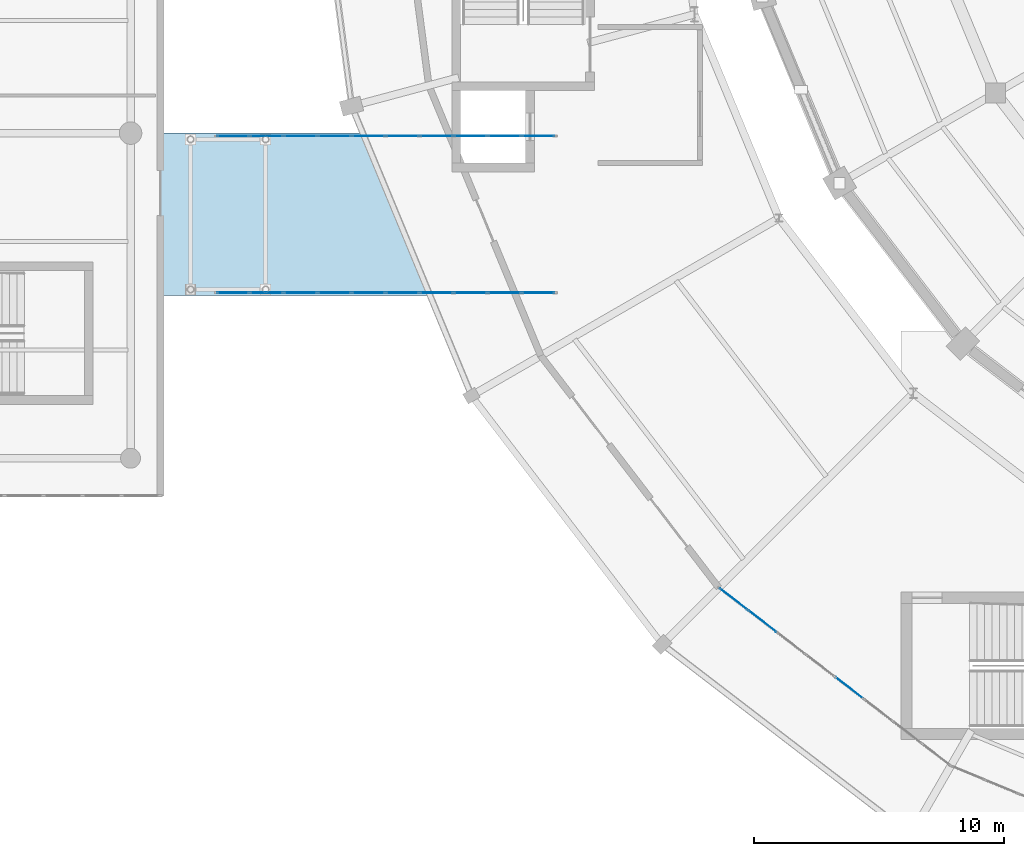
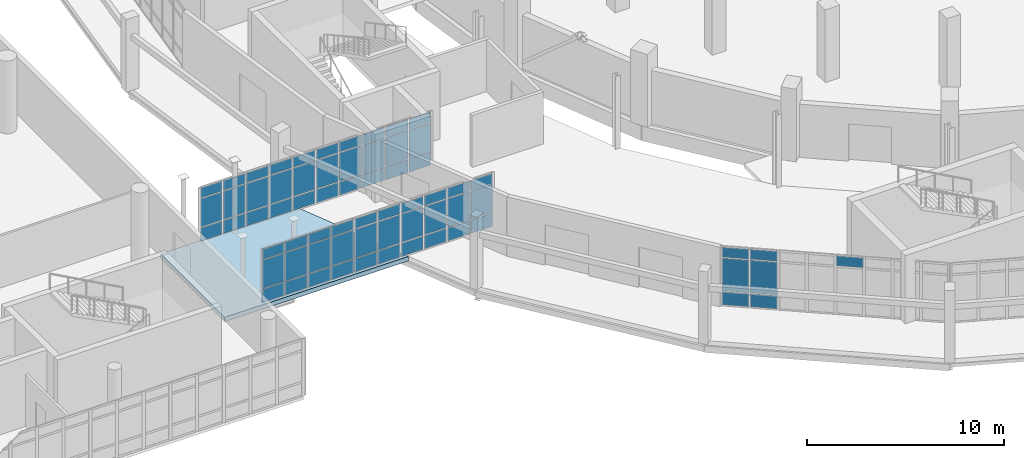
# One storey, part 79 of 122: 67 plates, 1 slab, 3 elements without a shape of their own.
"""IFC4 building model written with IfcOpenShell, lengths in metres."""

from ifc_helpers import new_model, si_unit, direction, frame, origin, origin_2d, place, context, subcontext, project, spatial, polyline, rectangle, outline, extrude, material, layer, layer_set, type_object, element, aggregate, save


model = new_model("IFC4")

# Units and contexts
model_context = context("Model", 3, precision=1e-05, world=origin(), true_north=direction((0.0, 1.0)))
body_context = subcontext(model_context, "Body", "Model", "MODEL_VIEW")
ifc_project = project(units=[si_unit("LENGTHUNIT", "METRE"), si_unit("AREAUNIT", "SQUARE_METRE"), si_unit("VOLUMEUNIT", "CUBIC_METRE"), si_unit("PLANEANGLEUNIT", "RADIAN"), si_unit("MASSUNIT", "GRAM", prefix="KILO")], contexts=[model_context])

# Site, building, storey
site_placement = place(None, origin())
site = spatial("IfcSite", under=ifc_project, at=site_placement, CompositionType="ELEMENT")
building_placement = place(site_placement, origin())
building = spatial("IfcBuilding", under=site, at=building_placement, Name="Sohan Crest Arena", CompositionType="ELEMENT")
storey_placement = place(building_placement, origin())
storey = spatial("IfcBuildingStorey", under=building, at=storey_placement, Name="L00", CompositionType="ELEMENT", Elevation=0.0)

# Curtain wall, plates
ifc_material_1 = material(Name="Thermally broken anodised aluminium", Category="aluminium")
ifc_layer_1 = layer(ifc_material_1, 0.179931640625, Name="Thermally broken anodised aluminium")
ifc_layer_set_1 = layer_set([ifc_layer_1], Name="Thermally broken anodised aluminium")
curtain_wall_type_1 = type_object("IfcCurtainWallType", Name="ARC-CW01", PredefinedType="NOTDEFINED", material=ifc_layer_set_1)
curtain_wall_1_placement = place(storey_placement, origin())
curtain_wall_1 = element("IfcCurtainWall", 1, at=curtain_wall_1_placement, inside=storey, type_object=curtain_wall_type_1, Name="Unitised curtain wall CW-005", PredefinedType="NOTDEFINED")
ifc_material_2 = material(Name="Low-E double-glazed insulated glass", Category="glass")
ifc_layer_2 = layer(ifc_material_2, 0.028076171875, Name="Low-E double-glazed insulated glass")
ifc_layer_set_2 = layer_set([ifc_layer_2], Name="Low-E double-glazed insulated glass")
plate_type = type_object("IfcPlateType", Name="ARC-CNP01", PredefinedType="CURTAIN_PANEL", material=ifc_layer_set_2)
plate_1_placement = place(storey_placement, frame((66.913818359375, 45.867919921875, 0.06005859375), z_axis=(0.0, 0.0, 1.0), x_axis=(0.79332277167, -0.608801264741, 0.0)))
plate_1 = element("IfcPlate", 2, at=plate_1_placement, type_object=plate_type, Name="CW-005 panel 1.1", PredefinedType="CURTAIN_PANEL", context=body_context, shape_type="SweptSolid", body=[
    extrude(rectangle(XDim=1.371826171875, YDim=0.028076171875, at=origin_2d()), origin(), (0.0, 0.0, 1.0), 0.81005859375),
])
plate_2_placement = place(storey_placement, frame((66.913818359375, 45.867919921875, 0.929931640625), z_axis=(0.0, 0.0, 1.0), x_axis=(0.79332277167, -0.608801264741, 0.0)))
plate_2 = element("IfcPlate", 3, at=plate_2_placement, type_object=plate_type, Name="CW-005 panel 1.2", PredefinedType="CURTAIN_PANEL", context=body_context, shape_type="SweptSolid", body=[
    extrude(rectangle(XDim=1.371826171875, YDim=0.028076171875, at=origin_2d()), origin(), (0.0, 0.0, 1.0), 2.02001953125),
])
plate_3_placement = place(storey_placement, frame((66.913818359375, 45.867919921875, 3.009765625), z_axis=(0.0, 0.0, 1.0), x_axis=(0.79332277167, -0.608801264741, 0.0)))
plate_3 = element("IfcPlate", 4, at=plate_3_placement, type_object=plate_type, Name="CW-005 panel 1.3", PredefinedType="CURTAIN_PANEL", context=body_context, shape_type="SweptSolid", body=[
    extrude(rectangle(XDim=1.371826171875, YDim=0.028076171875, at=origin_2d()), origin(), (0.0, 0.0, 1.0), 0.610107421875),
])
plate_4_placement = place(storey_placement, frame((68.0615234375, 44.987060546875, 0.06005859375), z_axis=(0.0, 0.0, 1.0), x_axis=(0.79332277167, -0.608801264741, 0.0)))
plate_4 = element("IfcPlate", 5, at=plate_4_placement, type_object=plate_type, Name="CW-005 panel 2.1", PredefinedType="CURTAIN_PANEL", context=body_context, shape_type="SweptSolid", body=[
    extrude(rectangle(XDim=1.40185546875, YDim=0.028076171875, at=origin_2d()), origin(), (0.0, 0.0, 1.0), 0.81005859375),
])
plate_5_placement = place(storey_placement, frame((68.0615234375, 44.987060546875, 0.929931640625), z_axis=(0.0, 0.0, 1.0), x_axis=(0.79332277167, -0.608801264741, 0.0)))
plate_5 = element("IfcPlate", 6, at=plate_5_placement, type_object=plate_type, Name="CW-005 panel 2.2", PredefinedType="CURTAIN_PANEL", context=body_context, shape_type="SweptSolid", body=[
    extrude(rectangle(XDim=1.40185546875, YDim=0.028076171875, at=origin_2d()), origin(), (0.0, 0.0, 1.0), 2.02001953125),
])
plate_6_placement = place(storey_placement, frame((68.0615234375, 44.987060546875, 3.009765625), z_axis=(0.0, 0.0, 1.0), x_axis=(0.79332277167, -0.608801264741, 0.0)))
plate_6 = element("IfcPlate", 7, at=plate_6_placement, type_object=plate_type, Name="CW-005 panel 2.3", PredefinedType="CURTAIN_PANEL", context=body_context, shape_type="SweptSolid", body=[
    extrude(rectangle(XDim=1.40185546875, YDim=0.028076171875, at=origin_2d()), origin(), (0.0, 0.0, 1.0), 0.610107421875),
])
plate_7_placement = place(storey_placement, frame((71.540771484375, 42.31689453125, 3.009765625), z_axis=(0.0, 0.0, 1.0), x_axis=(0.79332277167, -0.608801264741, 0.0)))
plate_7 = element("IfcPlate", 8, at=plate_7_placement, type_object=plate_type, Name="CW-005 panel 5.3", PredefinedType="CURTAIN_PANEL", context=body_context, shape_type="SweptSolid", body=[
    extrude(rectangle(XDim=1.40185546875, YDim=0.028076171875, at=origin_2d()), origin(), (0.0, 0.0, 1.0), 0.610107421875),
])
aggregate(curtain_wall_1, [plate_1, plate_2, plate_3, plate_4, plate_5, plate_6, plate_7])

ifc_layer_3 = layer(ifc_material_1, 0.18994140625, Name="Thermally broken anodised aluminium")
ifc_layer_set_3 = layer_set([ifc_layer_3], Name="Thermally broken anodised aluminium")
curtain_wall_type_2 = type_object("IfcCurtainWallType", Name="ARC-CW05", PredefinedType="NOTDEFINED", material=ifc_layer_set_3)
curtain_wall_2_placement = place(storey_placement, origin())
curtain_wall_2 = element("IfcCurtainWall", 9, at=curtain_wall_2_placement, inside=storey, type_object=curtain_wall_type_2, Name="Unitised curtain wall CW-223", PredefinedType="NOTDEFINED")
plate_8_placement = place(storey_placement, frame((46.896240234375, 58.1201171875, 0.06005859375), z_axis=(0.0, 0.0, 1.0), x_axis=(1.0, 0.0, 0.0)))
plate_8 = element("IfcPlate", 10, at=plate_8_placement, type_object=plate_type, Name="CW-223 panel 1.1", PredefinedType="CURTAIN_PANEL", context=body_context, shape_type="SweptSolid", body=[
    extrude(rectangle(XDim=1.262451171875, YDim=0.028076171875, at=origin_2d()), origin(), (0.0, 0.0, 1.0), 0.81005859375),
])
plate_9_placement = place(storey_placement, frame((46.896240234375, 58.1201171875, 0.93017578125), z_axis=(0.0, 0.0, 1.0), x_axis=(1.0, 0.0, 0.0)))
plate_9 = element("IfcPlate", 11, at=plate_9_placement, type_object=plate_type, Name="CW-223 panel 1.2", PredefinedType="CURTAIN_PANEL", context=body_context, shape_type="SweptSolid", body=[
    extrude(rectangle(XDim=1.262451171875, YDim=0.028076171875, at=origin_2d()), origin(), (0.0, 0.0, 1.0), 1.739990234375),
])
plate_10_placement = place(storey_placement, frame((46.896240234375, 58.1201171875, 2.72998046875), z_axis=(0.0, 0.0, 1.0), x_axis=(1.0, 0.0, 0.0)))
plate_10 = element("IfcPlate", 12, at=plate_10_placement, type_object=plate_type, Name="CW-223 panel 1.3", PredefinedType="CURTAIN_PANEL", context=body_context, shape_type="SweptSolid", body=[
    extrude(rectangle(XDim=1.262451171875, YDim=0.028076171875, at=origin_2d()), origin(), (0.0, 0.0, 1.0), 0.610107421875),
])
plate_11_placement = place(storey_placement, frame((48.239990234375, 58.1201171875, 0.06005859375), z_axis=(0.0, 0.0, 1.0), x_axis=(1.0, 0.0, 0.0)))
plate_11 = element("IfcPlate", 13, at=plate_11_placement, type_object=plate_type, Name="CW-223 panel 2.1", PredefinedType="CURTAIN_PANEL", context=body_context, shape_type="SweptSolid", body=[
    extrude(rectangle(XDim=1.294921875, YDim=0.028076171875, at=origin_2d()), origin(), (0.0, 0.0, 1.0), 0.81005859375),
])
plate_12_placement = place(storey_placement, frame((48.239990234375, 58.1201171875, 0.93017578125), z_axis=(0.0, 0.0, 1.0), x_axis=(1.0, 0.0, 0.0)))
plate_12 = element("IfcPlate", 14, at=plate_12_placement, type_object=plate_type, Name="CW-223 panel 2.2", PredefinedType="CURTAIN_PANEL", context=body_context, shape_type="SweptSolid", body=[
    extrude(rectangle(XDim=1.294921875, YDim=0.028076171875, at=origin_2d()), origin(), (0.0, 0.0, 1.0), 1.739990234375),
])
plate_13_placement = place(storey_placement, frame((48.239990234375, 58.1201171875, 2.72998046875), z_axis=(0.0, 0.0, 1.0), x_axis=(1.0, 0.0, 0.0)))
plate_13 = element("IfcPlate", 15, at=plate_13_placement, type_object=plate_type, Name="CW-223 panel 2.3", PredefinedType="CURTAIN_PANEL", context=body_context, shape_type="SweptSolid", body=[
    extrude(rectangle(XDim=1.294921875, YDim=0.028076171875, at=origin_2d()), origin(), (0.0, 0.0, 1.0), 0.610107421875),
])
plate_14_placement = place(storey_placement, frame((49.60009765625, 58.1201171875, 0.06005859375), z_axis=(0.0, 0.0, 1.0), x_axis=(1.0, 0.0, 0.0)))
plate_14 = element("IfcPlate", 16, at=plate_14_placement, type_object=plate_type, Name="CW-223 panel 3.1", PredefinedType="CURTAIN_PANEL", context=body_context, shape_type="SweptSolid", body=[
    extrude(rectangle(XDim=1.294921875, YDim=0.028076171875, at=origin_2d()), origin(), (0.0, 0.0, 1.0), 0.81005859375),
])
plate_15_placement = place(storey_placement, frame((49.60009765625, 58.1201171875, 0.93017578125), z_axis=(0.0, 0.0, 1.0), x_axis=(1.0, 0.0, 0.0)))
plate_15 = element("IfcPlate", 17, at=plate_15_placement, type_object=plate_type, Name="CW-223 panel 3.2", PredefinedType="CURTAIN_PANEL", context=body_context, shape_type="SweptSolid", body=[
    extrude(rectangle(XDim=1.294921875, YDim=0.028076171875, at=origin_2d()), origin(), (0.0, 0.0, 1.0), 1.739990234375),
])
plate_16_placement = place(storey_placement, frame((49.60009765625, 58.1201171875, 2.72998046875), z_axis=(0.0, 0.0, 1.0), x_axis=(1.0, 0.0, 0.0)))
plate_16 = element("IfcPlate", 18, at=plate_16_placement, type_object=plate_type, Name="CW-223 panel 3.3", PredefinedType="CURTAIN_PANEL", context=body_context, shape_type="SweptSolid", body=[
    extrude(rectangle(XDim=1.294921875, YDim=0.028076171875, at=origin_2d()), origin(), (0.0, 0.0, 1.0), 0.610107421875),
])
plate_17_placement = place(storey_placement, frame((50.9599609375, 58.1201171875, 0.06005859375), z_axis=(0.0, 0.0, 1.0), x_axis=(1.0, 0.0, 0.0)))
plate_17 = element("IfcPlate", 19, at=plate_17_placement, type_object=plate_type, Name="CW-223 panel 4.1", PredefinedType="CURTAIN_PANEL", context=body_context, shape_type="SweptSolid", body=[
    extrude(rectangle(XDim=1.294921875, YDim=0.028076171875, at=origin_2d()), origin(), (0.0, 0.0, 1.0), 0.81005859375),
])
plate_18_placement = place(storey_placement, frame((50.9599609375, 58.1201171875, 0.93017578125), z_axis=(0.0, 0.0, 1.0), x_axis=(1.0, 0.0, 0.0)))
plate_18 = element("IfcPlate", 20, at=plate_18_placement, type_object=plate_type, Name="CW-223 panel 4.2", PredefinedType="CURTAIN_PANEL", context=body_context, shape_type="SweptSolid", body=[
    extrude(rectangle(XDim=1.294921875, YDim=0.028076171875, at=origin_2d()), origin(), (0.0, 0.0, 1.0), 1.739990234375),
])
plate_19_placement = place(storey_placement, frame((50.9599609375, 58.1201171875, 2.72998046875), z_axis=(0.0, 0.0, 1.0), x_axis=(1.0, 0.0, 0.0)))
plate_19 = element("IfcPlate", 21, at=plate_19_placement, type_object=plate_type, Name="CW-223 panel 4.3", PredefinedType="CURTAIN_PANEL", context=body_context, shape_type="SweptSolid", body=[
    extrude(rectangle(XDim=1.294921875, YDim=0.028076171875, at=origin_2d()), origin(), (0.0, 0.0, 1.0), 0.610107421875),
])
plate_20_placement = place(storey_placement, frame((52.320068359375, 58.1201171875, 0.06005859375), z_axis=(0.0, 0.0, 1.0), x_axis=(1.0, 0.0, 0.0)))
plate_20 = element("IfcPlate", 22, at=plate_20_placement, type_object=plate_type, Name="CW-223 panel 5.1", PredefinedType="CURTAIN_PANEL", context=body_context, shape_type="SweptSolid", body=[
    extrude(rectangle(XDim=1.294921875, YDim=0.028076171875, at=origin_2d()), origin(), (0.0, 0.0, 1.0), 0.81005859375),
])
plate_21_placement = place(storey_placement, frame((52.320068359375, 58.1201171875, 0.93017578125), z_axis=(0.0, 0.0, 1.0), x_axis=(1.0, 0.0, 0.0)))
plate_21 = element("IfcPlate", 23, at=plate_21_placement, type_object=plate_type, Name="CW-223 panel 5.2", PredefinedType="CURTAIN_PANEL", context=body_context, shape_type="SweptSolid", body=[
    extrude(rectangle(XDim=1.294921875, YDim=0.028076171875, at=origin_2d()), origin(), (0.0, 0.0, 1.0), 1.739990234375),
])
plate_22_placement = place(storey_placement, frame((52.320068359375, 58.1201171875, 2.72998046875), z_axis=(0.0, 0.0, 1.0), x_axis=(1.0, 0.0, 0.0)))
plate_22 = element("IfcPlate", 24, at=plate_22_placement, type_object=plate_type, Name="CW-223 panel 5.3", PredefinedType="CURTAIN_PANEL", context=body_context, shape_type="SweptSolid", body=[
    extrude(rectangle(XDim=1.294921875, YDim=0.028076171875, at=origin_2d()), origin(), (0.0, 0.0, 1.0), 0.610107421875),
])
plate_23_placement = place(storey_placement, frame((53.679931640625, 58.1201171875, 0.06005859375), z_axis=(0.0, 0.0, 1.0), x_axis=(1.0, 0.0, 0.0)))
plate_23 = element("IfcPlate", 25, at=plate_23_placement, type_object=plate_type, Name="CW-223 panel 6.1", PredefinedType="CURTAIN_PANEL", context=body_context, shape_type="SweptSolid", body=[
    extrude(rectangle(XDim=1.294921875, YDim=0.028076171875, at=origin_2d()), origin(), (0.0, 0.0, 1.0), 0.81005859375),
])
plate_24_placement = place(storey_placement, frame((53.679931640625, 58.1201171875, 0.93017578125), z_axis=(0.0, 0.0, 1.0), x_axis=(1.0, 0.0, 0.0)))
plate_24 = element("IfcPlate", 26, at=plate_24_placement, type_object=plate_type, Name="CW-223 panel 6.2", PredefinedType="CURTAIN_PANEL", context=body_context, shape_type="SweptSolid", body=[
    extrude(rectangle(XDim=1.294921875, YDim=0.028076171875, at=origin_2d()), origin(), (0.0, 0.0, 1.0), 1.739990234375),
])
plate_25_placement = place(storey_placement, frame((53.679931640625, 58.1201171875, 2.72998046875), z_axis=(0.0, 0.0, 1.0), x_axis=(1.0, 0.0, 0.0)))
plate_25 = element("IfcPlate", 27, at=plate_25_placement, type_object=plate_type, Name="CW-223 panel 6.3", PredefinedType="CURTAIN_PANEL", context=body_context, shape_type="SweptSolid", body=[
    extrude(rectangle(XDim=1.294921875, YDim=0.028076171875, at=origin_2d()), origin(), (0.0, 0.0, 1.0), 0.610107421875),
])
plate_26_placement = place(storey_placement, frame((55.0400390625, 58.1201171875, 0.06005859375), z_axis=(0.0, 0.0, 1.0), x_axis=(1.0, 0.0, 0.0)))
plate_26 = element("IfcPlate", 28, at=plate_26_placement, type_object=plate_type, Name="CW-223 panel 7.1", PredefinedType="CURTAIN_PANEL", context=body_context, shape_type="SweptSolid", body=[
    extrude(rectangle(XDim=1.294921875, YDim=0.028076171875, at=origin_2d()), origin(), (0.0, 0.0, 1.0), 0.81005859375),
])
plate_27_placement = place(storey_placement, frame((55.0400390625, 58.1201171875, 0.93017578125), z_axis=(0.0, 0.0, 1.0), x_axis=(1.0, 0.0, 0.0)))
plate_27 = element("IfcPlate", 29, at=plate_27_placement, type_object=plate_type, Name="CW-223 panel 7.2", PredefinedType="CURTAIN_PANEL", context=body_context, shape_type="SweptSolid", body=[
    extrude(rectangle(XDim=1.294921875, YDim=0.028076171875, at=origin_2d()), origin(), (0.0, 0.0, 1.0), 1.739990234375),
])
plate_28_placement = place(storey_placement, frame((55.0400390625, 58.1201171875, 2.72998046875), z_axis=(0.0, 0.0, 1.0), x_axis=(1.0, 0.0, 0.0)))
plate_28 = element("IfcPlate", 30, at=plate_28_placement, type_object=plate_type, Name="CW-223 panel 7.3", PredefinedType="CURTAIN_PANEL", context=body_context, shape_type="SweptSolid", body=[
    extrude(rectangle(XDim=1.294921875, YDim=0.028076171875, at=origin_2d()), origin(), (0.0, 0.0, 1.0), 0.610107421875),
])
plate_29_placement = place(storey_placement, frame((56.39990234375, 58.1201171875, 0.06005859375), z_axis=(0.0, 0.0, 1.0), x_axis=(1.0, 0.0, 0.0)))
plate_29 = element("IfcPlate", 31, at=plate_29_placement, type_object=plate_type, Name="CW-223 panel 8.1", PredefinedType="CURTAIN_PANEL", context=body_context, shape_type="SweptSolid", body=[
    extrude(rectangle(XDim=1.294921875, YDim=0.028076171875, at=origin_2d()), origin(), (0.0, 0.0, 1.0), 0.81005859375),
])
plate_30_placement = place(storey_placement, frame((56.39990234375, 58.1201171875, 0.93017578125), z_axis=(0.0, 0.0, 1.0), x_axis=(1.0, 0.0, 0.0)))
plate_30 = element("IfcPlate", 32, at=plate_30_placement, type_object=plate_type, Name="CW-223 panel 8.2", PredefinedType="CURTAIN_PANEL", context=body_context, shape_type="SweptSolid", body=[
    extrude(rectangle(XDim=1.294921875, YDim=0.028076171875, at=origin_2d()), origin(), (0.0, 0.0, 1.0), 1.739990234375),
])
plate_31_placement = place(storey_placement, frame((56.39990234375, 58.1201171875, 2.72998046875), z_axis=(0.0, 0.0, 1.0), x_axis=(1.0, 0.0, 0.0)))
plate_31 = element("IfcPlate", 33, at=plate_31_placement, type_object=plate_type, Name="CW-223 panel 8.3", PredefinedType="CURTAIN_PANEL", context=body_context, shape_type="SweptSolid", body=[
    extrude(rectangle(XDim=1.294921875, YDim=0.028076171875, at=origin_2d()), origin(), (0.0, 0.0, 1.0), 0.610107421875),
])
plate_32_placement = place(storey_placement, frame((57.760009765625, 58.1201171875, 0.06005859375), z_axis=(0.0, 0.0, 1.0), x_axis=(1.0, 0.0, 0.0)))
plate_32 = element("IfcPlate", 34, at=plate_32_placement, type_object=plate_type, Name="CW-223 panel 9.1", PredefinedType="CURTAIN_PANEL", context=body_context, shape_type="SweptSolid", body=[
    extrude(rectangle(XDim=1.294921875, YDim=0.028076171875, at=origin_2d()), origin(), (0.0, 0.0, 1.0), 0.81005859375),
])
plate_33_placement = place(storey_placement, frame((57.760009765625, 58.1201171875, 0.93017578125), z_axis=(0.0, 0.0, 1.0), x_axis=(1.0, 0.0, 0.0)))
plate_33 = element("IfcPlate", 35, at=plate_33_placement, type_object=plate_type, Name="CW-223 panel 9.2", PredefinedType="CURTAIN_PANEL", context=body_context, shape_type="SweptSolid", body=[
    extrude(rectangle(XDim=1.294921875, YDim=0.028076171875, at=origin_2d()), origin(), (0.0, 0.0, 1.0), 1.739990234375),
])
plate_34_placement = place(storey_placement, frame((57.760009765625, 58.1201171875, 2.72998046875), z_axis=(0.0, 0.0, 1.0), x_axis=(1.0, 0.0, 0.0)))
plate_34 = element("IfcPlate", 36, at=plate_34_placement, type_object=plate_type, Name="CW-223 panel 9.3", PredefinedType="CURTAIN_PANEL", context=body_context, shape_type="SweptSolid", body=[
    extrude(rectangle(XDim=1.294921875, YDim=0.028076171875, at=origin_2d()), origin(), (0.0, 0.0, 1.0), 0.610107421875),
])
plate_35_placement = place(storey_placement, frame((59.103759765625, 58.1201171875, 0.06005859375), z_axis=(0.0, 0.0, 1.0), x_axis=(1.0, 0.0, 0.0)))
plate_35 = element("IfcPlate", 37, at=plate_35_placement, type_object=plate_type, Name="CW-223 panel 10.1", PredefinedType="CURTAIN_PANEL", context=body_context, shape_type="SweptSolid", body=[
    extrude(rectangle(XDim=1.262451171875, YDim=0.028076171875, at=origin_2d()), origin(), (0.0, 0.0, 1.0), 0.81005859375),
])
plate_36_placement = place(storey_placement, frame((59.103759765625, 58.1201171875, 0.93017578125), z_axis=(0.0, 0.0, 1.0), x_axis=(1.0, 0.0, 0.0)))
plate_36 = element("IfcPlate", 38, at=plate_36_placement, type_object=plate_type, Name="CW-223 panel 10.2", PredefinedType="CURTAIN_PANEL", context=body_context, shape_type="SweptSolid", body=[
    extrude(rectangle(XDim=1.262451171875, YDim=0.028076171875, at=origin_2d()), origin(), (0.0, 0.0, 1.0), 1.739990234375),
])
plate_37_placement = place(storey_placement, frame((59.103759765625, 58.1201171875, 2.72998046875), z_axis=(0.0, 0.0, 1.0), x_axis=(1.0, 0.0, 0.0)))
plate_37 = element("IfcPlate", 39, at=plate_37_placement, type_object=plate_type, Name="CW-223 panel 10.3", PredefinedType="CURTAIN_PANEL", context=body_context, shape_type="SweptSolid", body=[
    extrude(rectangle(XDim=1.262451171875, YDim=0.028076171875, at=origin_2d()), origin(), (0.0, 0.0, 1.0), 0.610107421875),
])
aggregate(curtain_wall_2, [plate_8, plate_9, plate_10, plate_11, plate_12, plate_13, plate_14, plate_15, plate_16, plate_17, plate_18, plate_19, plate_20, plate_21, plate_22, plate_23, plate_24, plate_25, plate_26, plate_27, plate_28, plate_29, plate_30, plate_31, plate_32, plate_33, plate_34, plate_35, plate_36, plate_37])

curtain_wall_3_placement = place(storey_placement, origin())
curtain_wall_3 = element("IfcCurtainWall", 40, at=curtain_wall_3_placement, inside=storey, type_object=curtain_wall_type_2, Name="Unitised curtain wall CW-224", PredefinedType="NOTDEFINED")
plate_38_placement = place(storey_placement, frame((46.896240234375, 64.3798828125, 0.06005859375), z_axis=(0.0, 0.0, 1.0), x_axis=(1.0, 0.0, 0.0)))
plate_38 = element("IfcPlate", 41, at=plate_38_placement, type_object=plate_type, Name="CW-224 panel 1.1", PredefinedType="CURTAIN_PANEL", context=body_context, shape_type="SweptSolid", body=[
    extrude(rectangle(XDim=1.262451171875, YDim=0.028076171875, at=origin_2d()), origin(), (0.0, 0.0, 1.0), 0.81005859375),
])
plate_39_placement = place(storey_placement, frame((46.896240234375, 64.3798828125, 0.93017578125), z_axis=(0.0, 0.0, 1.0), x_axis=(1.0, 0.0, 0.0)))
plate_39 = element("IfcPlate", 42, at=plate_39_placement, type_object=plate_type, Name="CW-224 panel 1.2", PredefinedType="CURTAIN_PANEL", context=body_context, shape_type="SweptSolid", body=[
    extrude(rectangle(XDim=1.262451171875, YDim=0.028076171875, at=origin_2d()), origin(), (0.0, 0.0, 1.0), 1.739990234375),
])
plate_40_placement = place(storey_placement, frame((46.896240234375, 64.3798828125, 2.72998046875), z_axis=(0.0, 0.0, 1.0), x_axis=(1.0, 0.0, 0.0)))
plate_40 = element("IfcPlate", 43, at=plate_40_placement, type_object=plate_type, Name="CW-224 panel 1.3", PredefinedType="CURTAIN_PANEL", context=body_context, shape_type="SweptSolid", body=[
    extrude(rectangle(XDim=1.262451171875, YDim=0.028076171875, at=origin_2d()), origin(), (0.0, 0.0, 1.0), 0.610107421875),
])
plate_41_placement = place(storey_placement, frame((48.239990234375, 64.3798828125, 0.06005859375), z_axis=(0.0, 0.0, 1.0), x_axis=(1.0, 0.0, 0.0)))
plate_41 = element("IfcPlate", 44, at=plate_41_placement, type_object=plate_type, Name="CW-224 panel 2.1", PredefinedType="CURTAIN_PANEL", context=body_context, shape_type="SweptSolid", body=[
    extrude(rectangle(XDim=1.294921875, YDim=0.028076171875, at=origin_2d()), origin(), (0.0, 0.0, 1.0), 0.81005859375),
])
plate_42_placement = place(storey_placement, frame((48.239990234375, 64.3798828125, 0.93017578125), z_axis=(0.0, 0.0, 1.0), x_axis=(1.0, 0.0, 0.0)))
plate_42 = element("IfcPlate", 45, at=plate_42_placement, type_object=plate_type, Name="CW-224 panel 2.2", PredefinedType="CURTAIN_PANEL", context=body_context, shape_type="SweptSolid", body=[
    extrude(rectangle(XDim=1.294921875, YDim=0.028076171875, at=origin_2d()), origin(), (0.0, 0.0, 1.0), 1.739990234375),
])
plate_43_placement = place(storey_placement, frame((48.239990234375, 64.3798828125, 2.72998046875), z_axis=(0.0, 0.0, 1.0), x_axis=(1.0, 0.0, 0.0)))
plate_43 = element("IfcPlate", 46, at=plate_43_placement, type_object=plate_type, Name="CW-224 panel 2.3", PredefinedType="CURTAIN_PANEL", context=body_context, shape_type="SweptSolid", body=[
    extrude(rectangle(XDim=1.294921875, YDim=0.028076171875, at=origin_2d()), origin(), (0.0, 0.0, 1.0), 0.610107421875),
])
plate_44_placement = place(storey_placement, frame((49.60009765625, 64.3798828125, 0.06005859375), z_axis=(0.0, 0.0, 1.0), x_axis=(1.0, 0.0, 0.0)))
plate_44 = element("IfcPlate", 47, at=plate_44_placement, type_object=plate_type, Name="CW-224 panel 3.1", PredefinedType="CURTAIN_PANEL", context=body_context, shape_type="SweptSolid", body=[
    extrude(rectangle(XDim=1.294921875, YDim=0.028076171875, at=origin_2d()), origin(), (0.0, 0.0, 1.0), 0.81005859375),
])
plate_45_placement = place(storey_placement, frame((49.60009765625, 64.3798828125, 0.93017578125), z_axis=(0.0, 0.0, 1.0), x_axis=(1.0, 0.0, 0.0)))
plate_45 = element("IfcPlate", 48, at=plate_45_placement, type_object=plate_type, Name="CW-224 panel 3.2", PredefinedType="CURTAIN_PANEL", context=body_context, shape_type="SweptSolid", body=[
    extrude(rectangle(XDim=1.294921875, YDim=0.028076171875, at=origin_2d()), origin(), (0.0, 0.0, 1.0), 1.739990234375),
])
plate_46_placement = place(storey_placement, frame((49.60009765625, 64.3798828125, 2.72998046875), z_axis=(0.0, 0.0, 1.0), x_axis=(1.0, 0.0, 0.0)))
plate_46 = element("IfcPlate", 49, at=plate_46_placement, type_object=plate_type, Name="CW-224 panel 3.3", PredefinedType="CURTAIN_PANEL", context=body_context, shape_type="SweptSolid", body=[
    extrude(rectangle(XDim=1.294921875, YDim=0.028076171875, at=origin_2d()), origin(), (0.0, 0.0, 1.0), 0.610107421875),
])
plate_47_placement = place(storey_placement, frame((50.9599609375, 64.3798828125, 0.06005859375), z_axis=(0.0, 0.0, 1.0), x_axis=(1.0, 0.0, 0.0)))
plate_47 = element("IfcPlate", 50, at=plate_47_placement, type_object=plate_type, Name="CW-224 panel 4.1", PredefinedType="CURTAIN_PANEL", context=body_context, shape_type="SweptSolid", body=[
    extrude(rectangle(XDim=1.294921875, YDim=0.028076171875, at=origin_2d()), origin(), (0.0, 0.0, 1.0), 0.81005859375),
])
plate_48_placement = place(storey_placement, frame((50.9599609375, 64.3798828125, 0.93017578125), z_axis=(0.0, 0.0, 1.0), x_axis=(1.0, 0.0, 0.0)))
plate_48 = element("IfcPlate", 51, at=plate_48_placement, type_object=plate_type, Name="CW-224 panel 4.2", PredefinedType="CURTAIN_PANEL", context=body_context, shape_type="SweptSolid", body=[
    extrude(rectangle(XDim=1.294921875, YDim=0.028076171875, at=origin_2d()), origin(), (0.0, 0.0, 1.0), 1.739990234375),
])
plate_49_placement = place(storey_placement, frame((50.9599609375, 64.3798828125, 2.72998046875), z_axis=(0.0, 0.0, 1.0), x_axis=(1.0, 0.0, 0.0)))
plate_49 = element("IfcPlate", 52, at=plate_49_placement, type_object=plate_type, Name="CW-224 panel 4.3", PredefinedType="CURTAIN_PANEL", context=body_context, shape_type="SweptSolid", body=[
    extrude(rectangle(XDim=1.294921875, YDim=0.028076171875, at=origin_2d()), origin(), (0.0, 0.0, 1.0), 0.610107421875),
])
plate_50_placement = place(storey_placement, frame((52.320068359375, 64.3798828125, 0.06005859375), z_axis=(0.0, 0.0, 1.0), x_axis=(1.0, 0.0, 0.0)))
plate_50 = element("IfcPlate", 53, at=plate_50_placement, type_object=plate_type, Name="CW-224 panel 5.1", PredefinedType="CURTAIN_PANEL", context=body_context, shape_type="SweptSolid", body=[
    extrude(rectangle(XDim=1.294921875, YDim=0.028076171875, at=origin_2d()), origin(), (0.0, 0.0, 1.0), 0.81005859375),
])
plate_51_placement = place(storey_placement, frame((52.320068359375, 64.3798828125, 0.93017578125), z_axis=(0.0, 0.0, 1.0), x_axis=(1.0, 0.0, 0.0)))
plate_51 = element("IfcPlate", 54, at=plate_51_placement, type_object=plate_type, Name="CW-224 panel 5.2", PredefinedType="CURTAIN_PANEL", context=body_context, shape_type="SweptSolid", body=[
    extrude(rectangle(XDim=1.294921875, YDim=0.028076171875, at=origin_2d()), origin(), (0.0, 0.0, 1.0), 1.739990234375),
])
plate_52_placement = place(storey_placement, frame((52.320068359375, 64.3798828125, 2.72998046875), z_axis=(0.0, 0.0, 1.0), x_axis=(1.0, 0.0, 0.0)))
plate_52 = element("IfcPlate", 55, at=plate_52_placement, type_object=plate_type, Name="CW-224 panel 5.3", PredefinedType="CURTAIN_PANEL", context=body_context, shape_type="SweptSolid", body=[
    extrude(rectangle(XDim=1.294921875, YDim=0.028076171875, at=origin_2d()), origin(), (0.0, 0.0, 1.0), 0.610107421875),
])
plate_53_placement = place(storey_placement, frame((53.679931640625, 64.3798828125, 0.06005859375), z_axis=(0.0, 0.0, 1.0), x_axis=(1.0, 0.0, 0.0)))
plate_53 = element("IfcPlate", 56, at=plate_53_placement, type_object=plate_type, Name="CW-224 panel 6.1", PredefinedType="CURTAIN_PANEL", context=body_context, shape_type="SweptSolid", body=[
    extrude(rectangle(XDim=1.294921875, YDim=0.028076171875, at=origin_2d()), origin(), (0.0, 0.0, 1.0), 0.81005859375),
])
plate_54_placement = place(storey_placement, frame((53.679931640625, 64.3798828125, 0.93017578125), z_axis=(0.0, 0.0, 1.0), x_axis=(1.0, 0.0, 0.0)))
plate_54 = element("IfcPlate", 57, at=plate_54_placement, type_object=plate_type, Name="CW-224 panel 6.2", PredefinedType="CURTAIN_PANEL", context=body_context, shape_type="SweptSolid", body=[
    extrude(rectangle(XDim=1.294921875, YDim=0.028076171875, at=origin_2d()), origin(), (0.0, 0.0, 1.0), 1.739990234375),
])
plate_55_placement = place(storey_placement, frame((53.679931640625, 64.3798828125, 2.72998046875), z_axis=(0.0, 0.0, 1.0), x_axis=(1.0, 0.0, 0.0)))
plate_55 = element("IfcPlate", 58, at=plate_55_placement, type_object=plate_type, Name="CW-224 panel 6.3", PredefinedType="CURTAIN_PANEL", context=body_context, shape_type="SweptSolid", body=[
    extrude(rectangle(XDim=1.294921875, YDim=0.028076171875, at=origin_2d()), origin(), (0.0, 0.0, 1.0), 0.610107421875),
])
plate_56_placement = place(storey_placement, frame((55.0400390625, 64.3798828125, 0.06005859375), z_axis=(0.0, 0.0, 1.0), x_axis=(1.0, 0.0, 0.0)))
plate_56 = element("IfcPlate", 59, at=plate_56_placement, type_object=plate_type, Name="CW-224 panel 7.1", PredefinedType="CURTAIN_PANEL", context=body_context, shape_type="SweptSolid", body=[
    extrude(rectangle(XDim=1.294921875, YDim=0.028076171875, at=origin_2d()), origin(), (0.0, 0.0, 1.0), 0.81005859375),
])
plate_57_placement = place(storey_placement, frame((55.0400390625, 64.3798828125, 0.93017578125), z_axis=(0.0, 0.0, 1.0), x_axis=(1.0, 0.0, 0.0)))
plate_57 = element("IfcPlate", 60, at=plate_57_placement, type_object=plate_type, Name="CW-224 panel 7.2", PredefinedType="CURTAIN_PANEL", context=body_context, shape_type="SweptSolid", body=[
    extrude(rectangle(XDim=1.294921875, YDim=0.028076171875, at=origin_2d()), origin(), (0.0, 0.0, 1.0), 1.739990234375),
])
plate_58_placement = place(storey_placement, frame((55.0400390625, 64.3798828125, 2.72998046875), z_axis=(0.0, 0.0, 1.0), x_axis=(1.0, 0.0, 0.0)))
plate_58 = element("IfcPlate", 61, at=plate_58_placement, type_object=plate_type, Name="CW-224 panel 7.3", PredefinedType="CURTAIN_PANEL", context=body_context, shape_type="SweptSolid", body=[
    extrude(rectangle(XDim=1.294921875, YDim=0.028076171875, at=origin_2d()), origin(), (0.0, 0.0, 1.0), 0.610107421875),
])
plate_59_placement = place(storey_placement, frame((56.39990234375, 64.3798828125, 0.06005859375), z_axis=(0.0, 0.0, 1.0), x_axis=(1.0, 0.0, 0.0)))
plate_59 = element("IfcPlate", 62, at=plate_59_placement, type_object=plate_type, Name="CW-224 panel 8.1", PredefinedType="CURTAIN_PANEL", context=body_context, shape_type="SweptSolid", body=[
    extrude(rectangle(XDim=1.294921875, YDim=0.028076171875, at=origin_2d()), origin(), (0.0, 0.0, 1.0), 0.81005859375),
])
plate_60_placement = place(storey_placement, frame((56.39990234375, 64.3798828125, 0.93017578125), z_axis=(0.0, 0.0, 1.0), x_axis=(1.0, 0.0, 0.0)))
plate_60 = element("IfcPlate", 63, at=plate_60_placement, type_object=plate_type, Name="CW-224 panel 8.2", PredefinedType="CURTAIN_PANEL", context=body_context, shape_type="SweptSolid", body=[
    extrude(rectangle(XDim=1.294921875, YDim=0.028076171875, at=origin_2d()), origin(), (0.0, 0.0, 1.0), 1.739990234375),
])
plate_61_placement = place(storey_placement, frame((56.39990234375, 64.3798828125, 2.72998046875), z_axis=(0.0, 0.0, 1.0), x_axis=(1.0, 0.0, 0.0)))
plate_61 = element("IfcPlate", 64, at=plate_61_placement, type_object=plate_type, Name="CW-224 panel 8.3", PredefinedType="CURTAIN_PANEL", context=body_context, shape_type="SweptSolid", body=[
    extrude(rectangle(XDim=1.294921875, YDim=0.028076171875, at=origin_2d()), origin(), (0.0, 0.0, 1.0), 0.610107421875),
])
plate_62_placement = place(storey_placement, frame((57.760009765625, 64.3798828125, 0.06005859375), z_axis=(0.0, 0.0, 1.0), x_axis=(1.0, 0.0, 0.0)))
plate_62 = element("IfcPlate", 65, at=plate_62_placement, type_object=plate_type, Name="CW-224 panel 9.1", PredefinedType="CURTAIN_PANEL", context=body_context, shape_type="SweptSolid", body=[
    extrude(rectangle(XDim=1.294921875, YDim=0.028076171875, at=origin_2d()), origin(), (0.0, 0.0, 1.0), 0.81005859375),
])
plate_63_placement = place(storey_placement, frame((57.760009765625, 64.3798828125, 0.93017578125), z_axis=(0.0, 0.0, 1.0), x_axis=(1.0, 0.0, 0.0)))
plate_63 = element("IfcPlate", 66, at=plate_63_placement, type_object=plate_type, Name="CW-224 panel 9.2", PredefinedType="CURTAIN_PANEL", context=body_context, shape_type="SweptSolid", body=[
    extrude(rectangle(XDim=1.294921875, YDim=0.028076171875, at=origin_2d()), origin(), (0.0, 0.0, 1.0), 1.739990234375),
])
plate_64_placement = place(storey_placement, frame((57.760009765625, 64.3798828125, 2.72998046875), z_axis=(0.0, 0.0, 1.0), x_axis=(1.0, 0.0, 0.0)))
plate_64 = element("IfcPlate", 67, at=plate_64_placement, type_object=plate_type, Name="CW-224 panel 9.3", PredefinedType="CURTAIN_PANEL", context=body_context, shape_type="SweptSolid", body=[
    extrude(rectangle(XDim=1.294921875, YDim=0.028076171875, at=origin_2d()), origin(), (0.0, 0.0, 1.0), 0.610107421875),
])
plate_65_placement = place(storey_placement, frame((59.103759765625, 64.3798828125, 0.06005859375), z_axis=(0.0, 0.0, 1.0), x_axis=(1.0, 0.0, 0.0)))
plate_65 = element("IfcPlate", 68, at=plate_65_placement, type_object=plate_type, Name="CW-224 panel 10.1", PredefinedType="CURTAIN_PANEL", context=body_context, shape_type="SweptSolid", body=[
    extrude(rectangle(XDim=1.262451171875, YDim=0.028076171875, at=origin_2d()), origin(), (0.0, 0.0, 1.0), 0.81005859375),
])
plate_66_placement = place(storey_placement, frame((59.103759765625, 64.3798828125, 0.93017578125), z_axis=(0.0, 0.0, 1.0), x_axis=(1.0, 0.0, 0.0)))
plate_66 = element("IfcPlate", 69, at=plate_66_placement, type_object=plate_type, Name="CW-224 panel 10.2", PredefinedType="CURTAIN_PANEL", context=body_context, shape_type="SweptSolid", body=[
    extrude(rectangle(XDim=1.262451171875, YDim=0.028076171875, at=origin_2d()), origin(), (0.0, 0.0, 1.0), 1.739990234375),
])
plate_67_placement = place(storey_placement, frame((59.103759765625, 64.3798828125, 2.72998046875), z_axis=(0.0, 0.0, 1.0), x_axis=(1.0, 0.0, 0.0)))
plate_67 = element("IfcPlate", 70, at=plate_67_placement, type_object=plate_type, Name="CW-224 panel 10.3", PredefinedType="CURTAIN_PANEL", context=body_context, shape_type="SweptSolid", body=[
    extrude(rectangle(XDim=1.262451171875, YDim=0.028076171875, at=origin_2d()), origin(), (0.0, 0.0, 1.0), 0.610107421875),
])
aggregate(curtain_wall_3, [plate_38, plate_39, plate_40, plate_41, plate_42, plate_43, plate_44, plate_45, plate_46, plate_47, plate_48, plate_49, plate_50, plate_51, plate_52, plate_53, plate_54, plate_55, plate_56, plate_57, plate_58, plate_59, plate_60, plate_61, plate_62, plate_63, plate_64, plate_65, plate_66, plate_67])

# Slab
ifc_material_3 = material(Name="Concrete C40/50", Category="concrete")
ifc_layer_4 = layer(ifc_material_3, 0.27490234375, Name="Concrete C40/50")
ifc_layer_set_4 = layer_set([ifc_layer_4], Name="Concrete C40/50")
slab_type = type_object("IfcSlabType", Name="SL-FLR4", PredefinedType="FLOOR", material=ifc_layer_set_4)
slab_placement = place(storey_placement, frame((0.0, 0.0, -0.27490234375)))
element("IfcSlab", 71, at=slab_placement, inside=storey, type_object=slab_type, Name="Covered bridge BR-W1 L00 deck SL-BR-W1-L00", PredefinedType="FLOOR", context=body_context, shape_type="SweptSolid", body=[
    extrude(outline(polyline([(52.08203125, 64.5), (54.77392578125, 58.0), (44.0, 58.0), (44.0, 64.5), (52.08203125, 64.5)])), origin(), (0.0, 0.0, 1.0), 0.27490234375),
])

save(model, "model.ifc")
